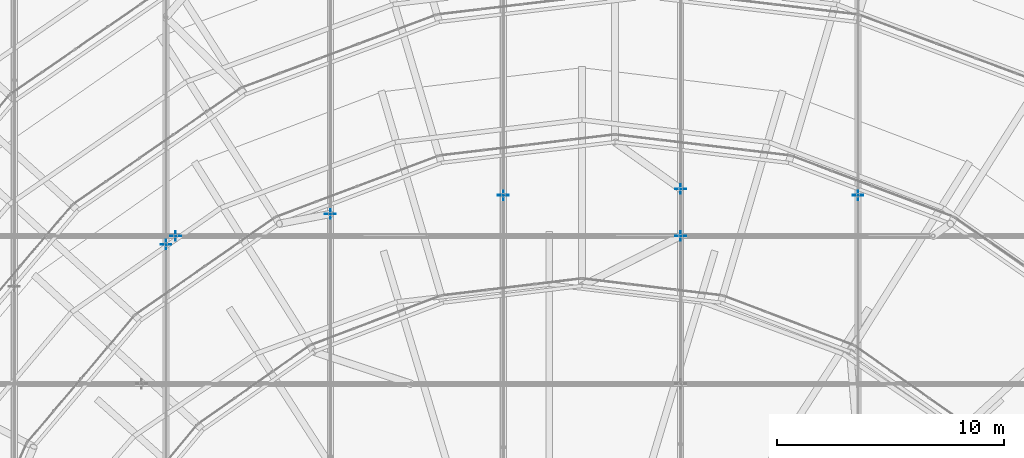
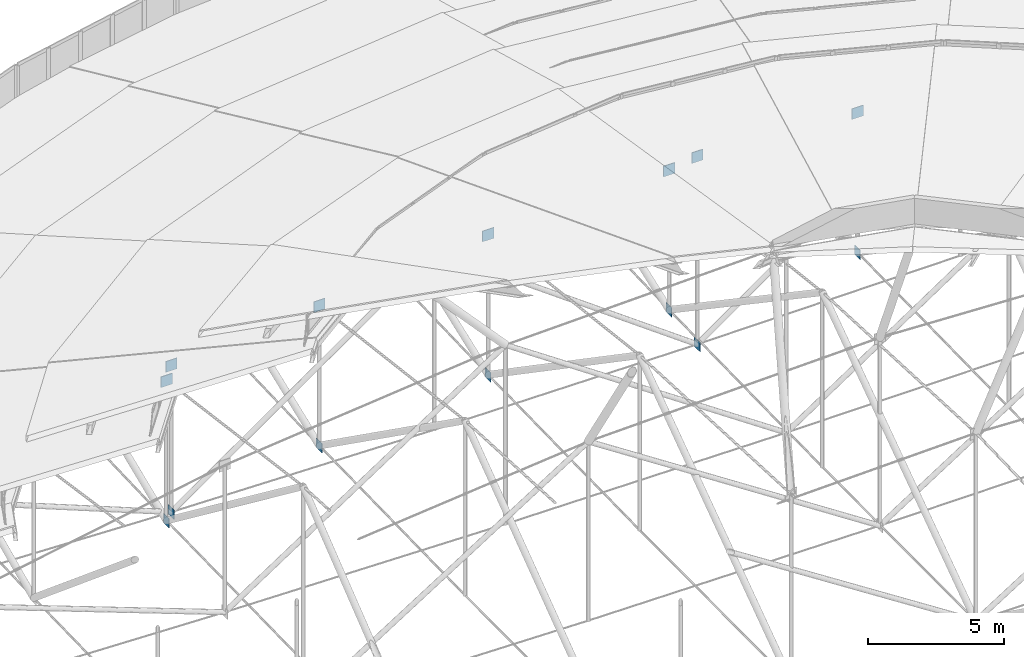
# One storey, part 167 of 173: 14 plates.
"""IFC4 building model written with IfcOpenShell, lengths in metres."""

from ifc_helpers import new_model, si_unit, direction, frame, origin, origin_2d, place, context, subcontext, project, spatial, rectangle, extrude, material, layer, layer_set, type_object, element, save


model = new_model("IFC4")

# Units and contexts
model_context = context("Model", 3, precision=1e-05, world=origin(), true_north=direction((0.0, 1.0)))
body_context = subcontext(model_context, "Body", "Model", "MODEL_VIEW")
ifc_project = project(units=[si_unit("LENGTHUNIT", "METRE"), si_unit("AREAUNIT", "SQUARE_METRE"), si_unit("VOLUMEUNIT", "CUBIC_METRE"), si_unit("PLANEANGLEUNIT", "RADIAN"), si_unit("MASSUNIT", "GRAM", prefix="KILO")], contexts=[model_context])

# Site, building, storey
site_placement = place(None, origin())
site = spatial("IfcSite", under=ifc_project, at=site_placement, CompositionType="ELEMENT")
building_placement = place(site_placement, origin())
building = spatial("IfcBuilding", under=site, at=building_placement, Name="Glasvene Arena", CompositionType="ELEMENT")
storey_placement = place(building_placement, frame((0.0, 0.0, 28.800048828125)))
storey = spatial("IfcBuildingStorey", under=building, at=storey_placement, Name="RF", CompositionType="ELEMENT", Elevation=28.800048828125)

# Plates
ifc_material = material(Name="Steel S355J2", Category="steel")
ifc_layer_1 = layer(ifc_material, 0.031982421875)
ifc_layer_set_1 = layer_set([ifc_layer_1], Name="Steel S355J2")
plate_type_1 = type_object("IfcPlateType", Name="PL-GUSSET-32", PredefinedType="USERDEFINED", material=ifc_layer_set_1)
for number, where, z_axis, x_axis, name in (
    (1, (99.82177734375, 95.222900390625, 3.927001953125), (0.0, 0.0, 1.0), (1.0, 0.0, 0.0), "Cable-node clamp gusset plate CG-NS04-06"),
    (2, (92.0, 95.5, 3.927001953125), (0.0, 0.0, 1.0), (1.0, 0.0, 0.0), "Cable-node clamp gusset plate CG-NS05-06"),
    (3, (84.17822265625, 95.222900390625, 3.927001953125), (0.0, 0.0, 1.0), (1.0, 0.0, 0.0), "Cable-node clamp gusset plate CG-NS06-06"),
    (4, (76.54931640625, 94.398681640625, 3.927001953125), (0.0, 0.0, 1.0), (1.0, 0.0, 0.0), "Cable-node clamp gusset plate CG-NS07-06"),
    (5, (69.300537109375, 93.047607421875, 3.927001953125), (0.0, 0.0, 1.0), (1.0, 0.0, 0.0), "Cable-node clamp gusset plate CG-NS08-06"),
    (6, (69.724853515625, 93.4296875, 4.23291015625), (0.0, 0.0, 1.0), (1.0, 0.0, 0.0), "Cable-node clamp gusset plate CG-EW07-02"),
    (7, (92.0, 93.4296875, 5.780029296875), (0.0, 0.0, 1.0), (1.0, 0.0, 0.0), "Cable-node clamp gusset plate CG-EW07-04"),
):
    element("IfcPlate", number, at=place(storey_placement, frame(where, z_axis=z_axis, x_axis=x_axis)), inside=storey, type_object=plate_type_1, Name=name, ObjectType="GUSSET PLATE", PredefinedType="USERDEFINED", context=body_context, shape_type="SweptSolid", body=[
        extrude(rectangle(XDim=0.47998046875, YDim=0.031982421875, at=origin_2d()), origin(), (0.0, 0.0, 1.0), 0.47998046875),
    ])
ifc_layer_2 = layer(ifc_material, 0.02001953125)
ifc_layer_set_2 = layer_set([ifc_layer_2], Name="Steel S355J2")
plate_type_2 = type_object("IfcPlateType", Name="PL-STIFF-20", PredefinedType="USERDEFINED", material=ifc_layer_set_2)
for number, where, z_axis, x_axis, name in (
    (8, (99.82177734375, 95.222900390625, -2.322509765625), (0.0, 0.0, 1.0), (1.0, 0.0, 0.0), "Lower cable clamp stiffener plate CS-NS04-06"),
    (9, (92.0, 95.5, -2.322509765625), (0.0, 0.0, 1.0), (1.0, 0.0, 0.0), "Lower cable clamp stiffener plate CS-NS05-06"),
    (10, (84.17822265625, 95.222900390625, -2.322509765625), (0.0, 0.0, 1.0), (1.0, 0.0, 0.0), "Lower cable clamp stiffener plate CS-NS06-06"),
    (11, (76.54931640625, 94.398681640625, -2.322509765625), (0.0, 0.0, 1.0), (1.0, 0.0, 0.0), "Lower cable clamp stiffener plate CS-NS07-06"),
    (12, (69.300537109375, 93.047607421875, -2.322509765625), (0.0, 0.0, 1.0), (1.0, 0.0, 0.0), "Lower cable clamp stiffener plate CS-NS08-06"),
    (13, (69.724853515625, 93.4296875, -2.322509765625), (0.0, 0.0, 1.0), (1.0, 0.0, 0.0), "Lower cable clamp stiffener plate CS-EW07-02"),
    (14, (92.0, 93.4296875, -2.610107421875), (0.0, 0.0, 1.0), (1.0, 0.0, 0.0), "Lower cable clamp stiffener plate CS-EW07-04"),
):
    element("IfcPlate", number, at=place(storey_placement, frame(where, z_axis=z_axis, x_axis=x_axis)), inside=storey, type_object=plate_type_2, Name=name, ObjectType="GUSSET PLATE", PredefinedType="USERDEFINED", context=body_context, shape_type="SweptSolid", body=[
        extrude(rectangle(XDim=0.02001953125, YDim=0.419921875, at=origin_2d()), origin(), (0.0, 0.0, 1.0), 0.419921875),
    ])

save(model, "model.ifc")
